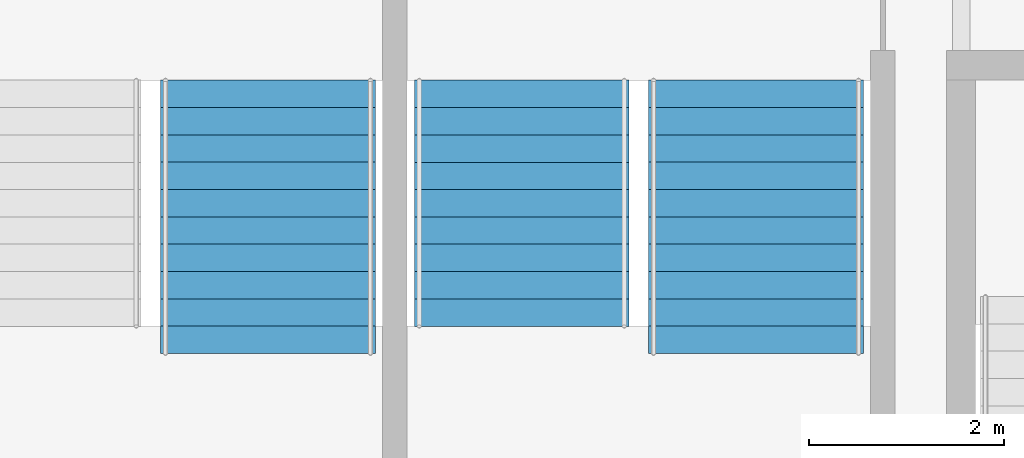
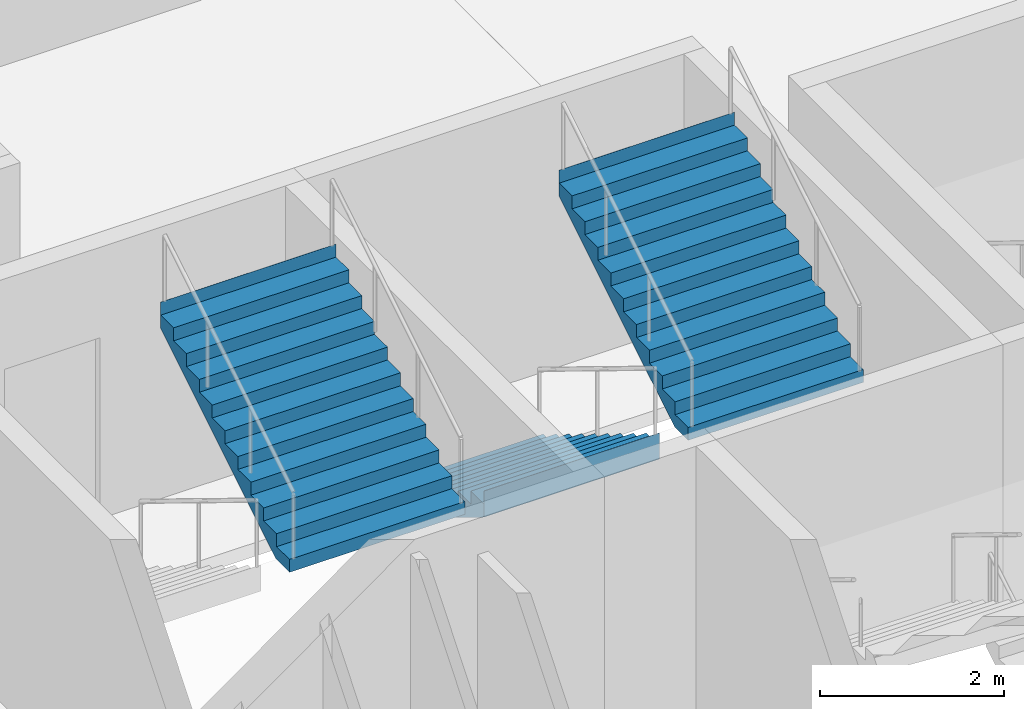
# One storey, part 86 of 124: 3 stair flights, 2 elements without a shape of their own.
"""IFC4 building model written with IfcOpenShell, lengths in metres."""

from ifc_helpers import new_model, si_unit, direction, frame, origin, place, context, subcontext, project, spatial, polyline, outline, extrude, material, type_object, element, aggregate, save


model = new_model("IFC4")

# Units and contexts
model_context = context("Model", 3, precision=1e-05, world=origin(), true_north=direction((0.0, 1.0)))
body_context = subcontext(model_context, "Body", "Model", "MODEL_VIEW")
ifc_project = project(units=[si_unit("LENGTHUNIT", "METRE"), si_unit("AREAUNIT", "SQUARE_METRE"), si_unit("VOLUMEUNIT", "CUBIC_METRE"), si_unit("PLANEANGLEUNIT", "RADIAN"), si_unit("MASSUNIT", "GRAM", prefix="KILO")], contexts=[model_context])

# Site, building, storey
site_placement = place(None, origin())
site = spatial("IfcSite", under=ifc_project, at=site_placement, CompositionType="ELEMENT")
building_placement = place(site_placement, origin())
building = spatial("IfcBuilding", under=site, at=building_placement, Name="Kupolbacken Congress Centre", CompositionType="ELEMENT")
storey_placement = place(building_placement, frame((0.0, 0.0, 10.800048828125)))
storey = spatial("IfcBuildingStorey", under=building, at=storey_placement, Name="L03", CompositionType="ELEMENT", Elevation=10.800048828125)

# Stair, stair flight
ifc_material_1 = material(Name="Concrete C30/37", Category="concrete")
stair_type = type_object("IfcStairType", Name="ST13 stair 2200", PredefinedType="TWO_STRAIGHT_RUN_STAIR", material=ifc_material_1)
stair_1_placement = place(storey_placement, origin())
stair_1 = element("IfcStair", 1, at=stair_1_placement, inside=storey, type_object=stair_type, Name="C/stair/PS2SE/L03", PredefinedType="NOTDEFINED")
ifc_material_2 = material(Name="Concrete C30/37", Category="concrete")
stair_flight_type_1 = type_object("IfcStairFlightType", Name="FL13 stair flight 2200 x 10 risers", PredefinedType="STRAIGHT", material=ifc_material_2)
stair_flight_1_placement = place(storey_placement, frame((74.699951171875, 55.544921875, 0.0), z_axis=(0.0, 0.0, 1.0), x_axis=(0.0, -1.0, 0.0)))
stair_flight_1 = element("IfcStairFlight", 2, at=stair_flight_1_placement, type_object=stair_flight_type_1, Name="PS2SE flight 1", NumberOfRisers=10, NumberOfTreads=9, PredefinedType="STRAIGHT", RiserHeight=0.171428571, TreadLength=0.28, context=body_context, shape_type="SweptSolid", body=[
    extrude(outline(polyline([(0.0, 0.0), (0.0, 0.0009765625), (0.0, 0.002197265625), (0.0, 0.003173828125), (0.0, 0.004150390625), (0.0, 0.00537109375), (0.0, 0.00634765625), (0.0, 0.007568359375), (0.0, 0.008544921875), (0.0, 0.009521484375), (0.0, 0.0107421875), (0.0, 0.01171875), (0.0, 0.0126953125), (0.0, 0.013916015625), (0.0, 0.014892578125), (0.0, 0.015869140625), (0.0, 0.01708984375), (0.0, 0.01806640625), (0.0, 0.019287109375), (0.0, 0.020263671875), (0.0, 0.021240234375), (0.0, 0.0224609375), (0.0, 0.0234375), (0.0, 0.0244140625), (0.0, 0.025634765625), (0.0, 0.026611328125), (0.0, 0.027587890625), (0.0, 0.02880859375), (0.0, 0.02978515625), (0.0, 0.03076171875), (0.0, 0.031982421875), (0.0, 0.032958984375), (0.0, 0.0341796875), (0.0, 0.03515625), (0.0, 0.0361328125), (0.0, 0.037353515625), (0.0, 0.038330078125), (0.0, 0.039306640625), (0.0, 0.04052734375), (0.0, 0.04150390625), (0.0, 0.04248046875), (0.0, 0.043701171875), (0.0, 0.044677734375), (0.0, 0.0458984375), (0.0, 0.046875), (0.0, 0.0478515625), (0.0, 0.049072265625), (0.0, 0.050048828125), (0.0, 0.051025390625), (0.0, 0.05224609375), (0.0, 0.05322265625), (0.0, 0.05419921875), (0.0, 0.055419921875), (0.0, 0.056396484375), (0.0, 0.0576171875), (0.0, 0.05859375), (0.0, 0.0595703125), (0.0, 0.060791015625), (0.0, 0.061767578125), (0.0, 0.062744140625), (0.0, 0.06396484375), (0.0, 0.06494140625), (0.0, 0.06591796875), (0.0, 0.067138671875), (0.0, 0.068115234375), (0.0, 0.069091796875), (0.0, 0.0703125), (0.0, 0.0712890625), (0.0, 0.072509765625), (0.0, 0.073486328125), (0.0, 0.074462890625), (0.0, 0.07568359375), (0.0, 0.07666015625), (0.0, 0.07763671875), (0.0, 0.078857421875), (0.0, 0.079833984375), (0.0, 0.080810546875), (0.0, 0.08203125), (0.0, 0.0830078125), (0.0, 0.084228515625), (0.0, 0.085205078125), (0.0, 0.086181640625), (0.0, 0.08740234375), (0.0, 0.08837890625), (0.0, 0.08935546875), (0.0, 0.090576171875), (0.0, 0.091552734375), (0.0, 0.092529296875), (0.0, 0.09375), (0.0, 0.0947265625), (0.0, 0.095947265625), (0.0, 0.096923828125), (0.0, 0.097900390625), (0.0, 0.09912109375), (0.0, 0.10009765625), (0.0, 0.10107421875), (0.0, 0.102294921875), (0.0, 0.103271484375), (0.0, 0.104248046875), (0.0, 0.10546875), (0.0, 0.1064453125), (0.0, 0.107421875), (0.0, 0.108642578125), (0.0, 0.109619140625), (0.0, 0.11083984375), (0.0, 0.11181640625), (0.0, 0.11279296875), (0.0, 0.114013671875), (0.0, 0.114990234375), (0.0, 0.115966796875), (0.0, 0.1171875), (0.0, 0.1181640625), (0.0, 0.119140625), (0.0, 0.120361328125), (0.0, 0.121337890625), (0.0, 0.12255859375), (0.0, 0.12353515625), (0.0, 0.12451171875), (0.0, 0.125732421875), (0.0, 0.126708984375), (0.0, 0.127685546875), (0.0, 0.12890625), (0.0, 0.1298828125), (0.0, 0.130859375), (0.0, 0.132080078125), (0.0, 0.133056640625), (0.0, 0.13427734375), (0.0, 0.13525390625), (0.0, 0.13623046875), (0.0, 0.137451171875), (0.0, 0.138427734375), (0.0, 0.139404296875), (0.0, 0.140625), (0.0, 0.1416015625), (0.0, 0.142578125), (0.0, 0.143798828125), (0.0, 0.144775390625), (0.0, 0.145751953125), (0.0, 0.14697265625), (0.0, 0.14794921875), (0.0, 0.149169921875), (0.0, 0.150146484375), (0.0, 0.151123046875), (0.0, 0.15234375), (0.0, 0.1533203125), (0.0, 0.154296875), (0.0, 0.155517578125), (0.0, 0.156494140625), (0.0, 0.157470703125), (0.0, 0.15869140625), (0.0, 0.15966796875), (0.0, 0.160888671875), (0.0, 0.161865234375), (0.0, 0.162841796875), (0.0, 0.1640625), (0.0, 0.1650390625), (0.0, 0.166015625), (0.0, 0.167236328125), (0.0, 0.168212890625), (0.0, 0.169189453125), (0.0, 0.17041015625), (0.0, 0.17138671875), (0.280029296875, 0.17138671875), (0.280029296875, 0.3427734375), (0.56005859375, 0.3427734375), (0.56005859375, 0.514404296875), (0.840087890625, 0.514404296875), (0.840087890625, 0.685791015625), (1.1201171875, 0.685791015625), (1.1201171875, 0.857177734375), (1.39990234375, 0.857177734375), (1.39990234375, 1.028564453125), (1.679931640625, 1.028564453125), (1.679931640625, 1.199951171875), (1.9599609375, 1.199951171875), (1.9599609375, 1.371337890625), (2.239990234375, 1.371337890625), (2.239990234375, 1.54296875), (2.52001953125, 1.54296875), (2.52001953125, 1.71435546875), (2.52197265625, 1.71435546875), (2.52197265625, 1.712158203125), (2.52197265625, 1.7099609375), (2.52197265625, 1.707763671875), (2.52197265625, 1.70556640625), (2.52197265625, 1.70361328125), (2.52197265625, 1.701416015625), (2.52197265625, 1.69921875), (2.52197265625, 1.697021484375), (2.52197265625, 1.69482421875), (2.52197265625, 1.692626953125), (2.52197265625, 1.690673828125), (2.52197265625, 1.6884765625), (2.52197265625, 1.686279296875), (2.52197265625, 1.68408203125), (2.52197265625, 1.681884765625), (2.52197265625, 1.6796875), (2.52197265625, 1.677734375), (2.52197265625, 1.675537109375), (2.52197265625, 1.67333984375), (2.52197265625, 1.671142578125), (2.52197265625, 1.6689453125), (2.52197265625, 1.666748046875), (2.52197265625, 1.664794921875), (2.52197265625, 1.66259765625), (2.52197265625, 1.660400390625), (2.52197265625, 1.658203125), (2.52197265625, 1.656005859375), (2.52197265625, 1.65380859375), (2.52197265625, 1.65185546875), (2.52197265625, 1.649658203125), (2.52197265625, 1.6474609375), (2.52197265625, 1.645263671875), (2.52197265625, 1.64306640625), (2.52197265625, 1.640869140625), (2.52197265625, 1.638916015625), (2.52197265625, 1.63671875), (2.52197265625, 1.634521484375), (2.52197265625, 1.63232421875), (2.52197265625, 1.630126953125), (2.52197265625, 1.6279296875), (2.52197265625, 1.6259765625), (2.52197265625, 1.623779296875), (2.52197265625, 1.62158203125), (2.52197265625, 1.619384765625), (2.52197265625, 1.6171875), (2.52197265625, 1.614990234375), (2.52197265625, 1.613037109375), (2.52197265625, 1.61083984375), (2.52197265625, 1.608642578125), (2.52197265625, 1.6064453125), (2.52197265625, 1.604248046875), (2.52197265625, 1.60205078125), (2.52197265625, 1.60009765625), (2.52197265625, 1.597900390625), (2.52197265625, 1.595703125), (2.52197265625, 1.593505859375), (2.52197265625, 1.59130859375), (2.52197265625, 1.589111328125), (2.52197265625, 1.587158203125), (2.52197265625, 1.5849609375), (2.52197265625, 1.582763671875), (2.52197265625, 1.58056640625), (2.52197265625, 1.578369140625), (2.52197265625, 1.576171875), (2.52197265625, 1.57421875), (2.52197265625, 1.572021484375), (2.52197265625, 1.56982421875), (2.52197265625, 1.567626953125), (2.52197265625, 1.5654296875), (2.52197265625, 1.563232421875), (2.52197265625, 1.561279296875), (2.52197265625, 1.55908203125), (2.52197265625, 1.556884765625), (2.52197265625, 1.5546875), (2.52197265625, 1.552490234375), (2.52197265625, 1.55029296875), (2.52197265625, 1.54833984375), (2.52197265625, 1.546142578125), (2.52197265625, 1.5439453125), (2.52197265625, 1.541748046875), (2.52197265625, 1.53955078125), (2.52197265625, 1.537353515625), (2.52197265625, 1.535400390625), (2.52197265625, 1.533203125), (2.52197265625, 1.531005859375), (2.52197265625, 1.52880859375), (2.52197265625, 1.526611328125), (2.52197265625, 1.5244140625), (2.52197265625, 1.5224609375), (2.52197265625, 1.520263671875), (2.52197265625, 1.51806640625), (2.52197265625, 1.515869140625), (2.52197265625, 1.513671875), (2.52197265625, 1.511474609375), (2.52197265625, 1.509521484375), (2.52197265625, 1.50732421875), (2.52197265625, 1.505126953125), (2.52197265625, 1.5029296875), (2.52197265625, 1.500732421875), (2.52197265625, 1.49853515625), (2.52197265625, 1.49658203125), (2.52197265625, 1.494384765625), (2.52197265625, 1.4921875), (2.52197265625, 1.489990234375), (2.52197265625, 1.48779296875), (2.52197265625, 1.485595703125), (2.52197265625, 1.483642578125), (2.52197265625, 1.4814453125), (2.52197265625, 1.479248046875), (2.52197265625, 1.47705078125), (2.52197265625, 1.474853515625), (2.52197265625, 1.47265625), (2.52197265625, 1.470703125), (2.52197265625, 1.468505859375), (2.52197265625, 1.46630859375), (2.52197265625, 1.464111328125), (2.52197265625, 1.4619140625), (2.52197265625, 1.459716796875), (2.52197265625, 1.457763671875), (2.52197265625, 1.45556640625), (2.52197265625, 1.453369140625), (2.52197265625, 1.451171875), (2.52197265625, 1.448974609375), (2.52197265625, 1.44677734375), (2.52197265625, 1.44482421875), (2.52197265625, 1.442626953125), (2.52197265625, 1.4404296875), (2.52197265625, 1.438232421875), (2.52197265625, 1.43603515625), (2.52197265625, 1.433837890625), (2.52197265625, 1.431884765625), (2.52197265625, 1.4296875), (2.52197265625, 1.427490234375), (2.52197265625, 1.42529296875), (2.52197265625, 1.423095703125), (2.52197265625, 1.4208984375), (2.52197265625, 1.4189453125), (2.52197265625, 1.416748046875), (2.52197265625, 1.41455078125), (2.52197265625, 1.412353515625), (2.52197265625, 1.41015625), (2.52197265625, 1.407958984375), (2.52197265625, 1.406005859375), (2.52197265625, 1.40380859375), (2.52197265625, 1.401611328125), (2.52197265625, 1.3994140625), (2.52197265625, 1.397216796875), (2.52197265625, 1.39501953125), (2.52197265625, 1.39306640625), (2.52197265625, 1.390869140625), (2.52197265625, 1.388671875), (2.52197265625, 1.386474609375), (2.52197265625, 1.38427734375), (2.52197265625, 1.382080078125), (2.52197265625, 1.380126953125), (2.52197265625, 1.3779296875), (2.52197265625, 1.375732421875), (2.52197265625, 1.37353515625), (2.52197265625, 1.371337890625), (2.52197265625, 1.369140625), (2.52197265625, 1.3671875), (0.2890625, 0.0), (0.0, 0.0)])), frame((0.0, 1.10009765625, 0.0), z_axis=(0.0, -1.0, 0.0), x_axis=(1.0, 0.0, 0.0)), (0.0, 0.0, 1.0), 2.199951171875),
])

stair_2_placement = place(storey_placement, origin())
stair_2 = element("IfcStair", 3, at=stair_2_placement, inside=storey, type_object=stair_type, Name="C/stair/PS1SE/L03", PredefinedType="NOTDEFINED")
ifc_material_3 = material(Name="Concrete C30/37", Category="concrete")
stair_flight_type_2 = type_object("IfcStairFlightType", Name="FL14 stair flight 2200 x 11 risers", PredefinedType="STRAIGHT", material=ifc_material_3)
stair_flight_2_placement = place(storey_placement, frame((72.10009765625, 52.7451171875, 1.71435546875), z_axis=(0.0, 0.0, 1.0), x_axis=(0.0, 1.0, 0.0)))
stair_flight_2 = element("IfcStairFlight", 4, at=stair_flight_2_placement, type_object=stair_flight_type_2, Name="PS1SE flight 2", NumberOfRisers=11, NumberOfTreads=10, PredefinedType="STRAIGHT", RiserHeight=0.171428571, TreadLength=0.28, context=body_context, shape_type="SweptSolid", body=[
    extrude(outline(polyline([(0.0, 0.0), (0.0, 0.0009765625), (0.0, 0.002197265625), (0.0, 0.003173828125), (0.0, 0.004150390625), (0.0, 0.00537109375), (0.0, 0.00634765625), (0.0, 0.007568359375), (0.0, 0.008544921875), (0.0, 0.009521484375), (0.0, 0.0107421875), (0.0, 0.01171875), (0.0, 0.0126953125), (0.0, 0.013916015625), (0.0, 0.014892578125), (0.0, 0.015869140625), (0.0, 0.01708984375), (0.0, 0.01806640625), (0.0, 0.019287109375), (0.0, 0.020263671875), (0.0, 0.021240234375), (0.0, 0.0224609375), (0.0, 0.0234375), (0.0, 0.0244140625), (0.0, 0.025634765625), (0.0, 0.026611328125), (0.0, 0.027587890625), (0.0, 0.02880859375), (0.0, 0.02978515625), (0.0, 0.03076171875), (0.0, 0.031982421875), (0.0, 0.032958984375), (0.0, 0.0341796875), (0.0, 0.03515625), (0.0, 0.0361328125), (0.0, 0.037353515625), (0.0, 0.038330078125), (0.0, 0.039306640625), (0.0, 0.04052734375), (0.0, 0.04150390625), (0.0, 0.04248046875), (0.0, 0.043701171875), (0.0, 0.044677734375), (0.0, 0.0458984375), (0.0, 0.046875), (0.0, 0.0478515625), (0.0, 0.049072265625), (0.0, 0.050048828125), (0.0, 0.051025390625), (0.0, 0.05224609375), (0.0, 0.05322265625), (0.0, 0.05419921875), (0.0, 0.055419921875), (0.0, 0.056396484375), (0.0, 0.0576171875), (0.0, 0.05859375), (0.0, 0.0595703125), (0.0, 0.060791015625), (0.0, 0.061767578125), (0.0, 0.062744140625), (0.0, 0.06396484375), (0.0, 0.06494140625), (0.0, 0.06591796875), (0.0, 0.067138671875), (0.0, 0.068115234375), (0.0, 0.069091796875), (0.0, 0.0703125), (0.0, 0.0712890625), (0.0, 0.072509765625), (0.0, 0.073486328125), (0.0, 0.074462890625), (0.0, 0.07568359375), (0.0, 0.07666015625), (0.0, 0.07763671875), (0.0, 0.078857421875), (0.0, 0.079833984375), (0.0, 0.080810546875), (0.0, 0.08203125), (0.0, 0.0830078125), (0.0, 0.084228515625), (0.0, 0.085205078125), (0.0, 0.086181640625), (0.0, 0.08740234375), (0.0, 0.08837890625), (0.0, 0.08935546875), (0.0, 0.090576171875), (0.0, 0.091552734375), (0.0, 0.092529296875), (0.0, 0.09375), (0.0, 0.0947265625), (0.0, 0.095947265625), (0.0, 0.096923828125), (0.0, 0.097900390625), (0.0, 0.09912109375), (0.0, 0.10009765625), (0.0, 0.10107421875), (0.0, 0.102294921875), (0.0, 0.103271484375), (0.0, 0.104248046875), (0.0, 0.10546875), (0.0, 0.1064453125), (0.0, 0.107421875), (0.0, 0.108642578125), (0.0, 0.109619140625), (0.0, 0.11083984375), (0.0, 0.11181640625), (0.0, 0.11279296875), (0.0, 0.114013671875), (0.0, 0.114990234375), (0.0, 0.115966796875), (0.0, 0.1171875), (0.0, 0.1181640625), (0.0, 0.119140625), (0.0, 0.120361328125), (0.0, 0.121337890625), (0.0, 0.12255859375), (0.0, 0.12353515625), (0.0, 0.12451171875), (0.0, 0.125732421875), (0.0, 0.126708984375), (0.0, 0.127685546875), (0.0, 0.12890625), (0.0, 0.1298828125), (0.0, 0.130859375), (0.0, 0.132080078125), (0.0, 0.133056640625), (0.0, 0.13427734375), (0.0, 0.13525390625), (0.0, 0.13623046875), (0.0, 0.137451171875), (0.0, 0.138427734375), (0.0, 0.139404296875), (0.0, 0.140625), (0.0, 0.1416015625), (0.0, 0.142578125), (0.0, 0.143798828125), (0.0, 0.144775390625), (0.0, 0.145751953125), (0.0, 0.14697265625), (0.0, 0.14794921875), (0.0, 0.149169921875), (0.0, 0.150146484375), (0.0, 0.151123046875), (0.0, 0.15234375), (0.0, 0.1533203125), (0.0, 0.154296875), (0.0, 0.155517578125), (0.0, 0.156494140625), (0.0, 0.157470703125), (0.0, 0.15869140625), (0.0, 0.15966796875), (0.0, 0.160888671875), (0.0, 0.161865234375), (0.0, 0.162841796875), (0.0, 0.1640625), (0.0, 0.1650390625), (0.0, 0.166015625), (0.0, 0.167236328125), (0.0, 0.168212890625), (0.0, 0.169189453125), (0.0, 0.17041015625), (0.0, 0.17138671875), (0.280029296875, 0.17138671875), (0.280029296875, 0.3427734375), (0.56005859375, 0.3427734375), (0.56005859375, 0.514404296875), (0.840087890625, 0.514404296875), (0.840087890625, 0.685791015625), (1.1201171875, 0.685791015625), (1.1201171875, 0.857177734375), (1.39990234375, 0.857177734375), (1.39990234375, 1.028564453125), (1.679931640625, 1.028564453125), (1.679931640625, 1.199951171875), (1.9599609375, 1.199951171875), (1.9599609375, 1.371337890625), (2.239990234375, 1.371337890625), (2.239990234375, 1.54296875), (2.52001953125, 1.54296875), (2.52001953125, 1.71435546875), (2.800048828125, 1.71435546875), (2.800048828125, 1.8857421875), (2.802001953125, 1.8857421875), (2.802001953125, 1.883544921875), (2.802001953125, 1.88134765625), (2.802001953125, 1.879150390625), (2.802001953125, 1.877197265625), (2.802001953125, 1.875), (2.802001953125, 1.872802734375), (2.802001953125, 1.87060546875), (2.802001953125, 1.868408203125), (2.802001953125, 1.8662109375), (2.802001953125, 1.8642578125), (2.802001953125, 1.862060546875), (2.802001953125, 1.85986328125), (2.802001953125, 1.857666015625), (2.802001953125, 1.85546875), (2.802001953125, 1.853271484375), (2.802001953125, 1.851318359375), (2.802001953125, 1.84912109375), (2.802001953125, 1.846923828125), (2.802001953125, 1.8447265625), (2.802001953125, 1.842529296875), (2.802001953125, 1.84033203125), (2.802001953125, 1.83837890625), (2.802001953125, 1.836181640625), (2.802001953125, 1.833984375), (2.802001953125, 1.831787109375), (2.802001953125, 1.82958984375), (2.802001953125, 1.827392578125), (2.802001953125, 1.825439453125), (2.802001953125, 1.8232421875), (2.802001953125, 1.821044921875), (2.802001953125, 1.81884765625), (2.802001953125, 1.816650390625), (2.802001953125, 1.814453125), (2.802001953125, 1.8125), (2.802001953125, 1.810302734375), (2.802001953125, 1.80810546875), (2.802001953125, 1.805908203125), (2.802001953125, 1.8037109375), (2.802001953125, 1.801513671875), (2.802001953125, 1.799560546875), (2.802001953125, 1.79736328125), (2.802001953125, 1.795166015625), (2.802001953125, 1.79296875), (2.802001953125, 1.790771484375), (2.802001953125, 1.78857421875), (2.802001953125, 1.78662109375), (2.802001953125, 1.784423828125), (2.802001953125, 1.7822265625), (2.802001953125, 1.780029296875), (2.802001953125, 1.77783203125), (2.802001953125, 1.775634765625), (2.802001953125, 1.773681640625), (2.802001953125, 1.771484375), (2.802001953125, 1.769287109375), (2.802001953125, 1.76708984375), (2.802001953125, 1.764892578125), (2.802001953125, 1.7626953125), (2.802001953125, 1.7607421875), (2.802001953125, 1.758544921875), (2.802001953125, 1.75634765625), (2.802001953125, 1.754150390625), (2.802001953125, 1.751953125), (2.802001953125, 1.749755859375), (2.802001953125, 1.747802734375), (2.802001953125, 1.74560546875), (2.802001953125, 1.743408203125), (2.802001953125, 1.7412109375), (2.802001953125, 1.739013671875), (2.802001953125, 1.73681640625), (2.802001953125, 1.73486328125), (2.802001953125, 1.732666015625), (2.802001953125, 1.73046875), (2.802001953125, 1.728271484375), (2.802001953125, 1.72607421875), (2.802001953125, 1.723876953125), (2.802001953125, 1.721923828125), (2.802001953125, 1.7197265625), (2.802001953125, 1.717529296875), (2.802001953125, 1.71533203125), (2.802001953125, 1.713134765625), (2.802001953125, 1.7109375), (2.802001953125, 1.708984375), (2.802001953125, 1.706787109375), (2.802001953125, 1.70458984375), (2.802001953125, 1.702392578125), (2.802001953125, 1.7001953125), (2.802001953125, 1.697998046875), (2.802001953125, 1.696044921875), (2.802001953125, 1.69384765625), (2.802001953125, 1.691650390625), (2.802001953125, 1.689453125), (2.802001953125, 1.687255859375), (2.802001953125, 1.68505859375), (2.802001953125, 1.68310546875), (2.802001953125, 1.680908203125), (2.802001953125, 1.6787109375), (2.802001953125, 1.676513671875), (2.802001953125, 1.67431640625), (2.802001953125, 1.672119140625), (2.802001953125, 1.670166015625), (2.802001953125, 1.66796875), (2.802001953125, 1.665771484375), (2.802001953125, 1.66357421875), (2.802001953125, 1.661376953125), (2.802001953125, 1.6591796875), (2.802001953125, 1.6572265625), (2.802001953125, 1.655029296875), (2.802001953125, 1.65283203125), (2.802001953125, 1.650634765625), (2.802001953125, 1.6484375), (2.802001953125, 1.646240234375), (2.802001953125, 1.644287109375), (2.802001953125, 1.64208984375), (2.802001953125, 1.639892578125), (2.802001953125, 1.6376953125), (2.802001953125, 1.635498046875), (2.802001953125, 1.63330078125), (2.802001953125, 1.63134765625), (2.802001953125, 1.629150390625), (2.802001953125, 1.626953125), (2.802001953125, 1.624755859375), (2.802001953125, 1.62255859375), (2.802001953125, 1.620361328125), (2.802001953125, 1.618408203125), (2.802001953125, 1.6162109375), (2.802001953125, 1.614013671875), (2.802001953125, 1.61181640625), (2.802001953125, 1.609619140625), (2.802001953125, 1.607421875), (2.802001953125, 1.60546875), (2.802001953125, 1.603271484375), (2.802001953125, 1.60107421875), (2.802001953125, 1.598876953125), (2.802001953125, 1.5966796875), (2.802001953125, 1.594482421875), (2.802001953125, 1.592529296875), (2.802001953125, 1.59033203125), (2.802001953125, 1.588134765625), (2.802001953125, 1.5859375), (2.802001953125, 1.583740234375), (2.802001953125, 1.58154296875), (2.802001953125, 1.57958984375), (2.802001953125, 1.577392578125), (2.802001953125, 1.5751953125), (2.802001953125, 1.572998046875), (2.802001953125, 1.57080078125), (2.802001953125, 1.568603515625), (2.802001953125, 1.566650390625), (2.802001953125, 1.564453125), (2.802001953125, 1.562255859375), (2.802001953125, 1.56005859375), (2.802001953125, 1.557861328125), (2.802001953125, 1.5556640625), (2.802001953125, 1.5537109375), (2.802001953125, 1.551513671875), (2.802001953125, 1.54931640625), (2.802001953125, 1.547119140625), (2.802001953125, 1.544921875), (2.802001953125, 1.542724609375), (2.802001953125, 1.540771484375), (2.802001953125, 1.53857421875), (0.2890625, 0.0), (0.0, 0.0)])), frame((0.0, 1.10009765625, 0.0), z_axis=(0.0, -1.0, 0.0), x_axis=(1.0, 0.0, 0.0)), (0.0, 0.0, 1.0), 2.199951171875),
])
aggregate(stair_2, [stair_flight_2])

# Stair flight
stair_flight_3_placement = place(storey_placement, frame((77.10009765625, 52.7451171875, 1.71435546875), z_axis=(0.0, 0.0, 1.0), x_axis=(0.0, 1.0, 0.0)))
stair_flight_3 = element("IfcStairFlight", 5, at=stair_flight_3_placement, type_object=stair_flight_type_2, Name="PS2SE flight 2", NumberOfRisers=11, NumberOfTreads=10, PredefinedType="STRAIGHT", RiserHeight=0.171428571, TreadLength=0.28, context=body_context, shape_type="SweptSolid", body=[
    extrude(outline(polyline([(0.0, 0.0), (0.0, 0.0009765625), (0.0, 0.002197265625), (0.0, 0.003173828125), (0.0, 0.004150390625), (0.0, 0.00537109375), (0.0, 0.00634765625), (0.0, 0.007568359375), (0.0, 0.008544921875), (0.0, 0.009521484375), (0.0, 0.0107421875), (0.0, 0.01171875), (0.0, 0.0126953125), (0.0, 0.013916015625), (0.0, 0.014892578125), (0.0, 0.015869140625), (0.0, 0.01708984375), (0.0, 0.01806640625), (0.0, 0.019287109375), (0.0, 0.020263671875), (0.0, 0.021240234375), (0.0, 0.0224609375), (0.0, 0.0234375), (0.0, 0.0244140625), (0.0, 0.025634765625), (0.0, 0.026611328125), (0.0, 0.027587890625), (0.0, 0.02880859375), (0.0, 0.02978515625), (0.0, 0.03076171875), (0.0, 0.031982421875), (0.0, 0.032958984375), (0.0, 0.0341796875), (0.0, 0.03515625), (0.0, 0.0361328125), (0.0, 0.037353515625), (0.0, 0.038330078125), (0.0, 0.039306640625), (0.0, 0.04052734375), (0.0, 0.04150390625), (0.0, 0.04248046875), (0.0, 0.043701171875), (0.0, 0.044677734375), (0.0, 0.0458984375), (0.0, 0.046875), (0.0, 0.0478515625), (0.0, 0.049072265625), (0.0, 0.050048828125), (0.0, 0.051025390625), (0.0, 0.05224609375), (0.0, 0.05322265625), (0.0, 0.05419921875), (0.0, 0.055419921875), (0.0, 0.056396484375), (0.0, 0.0576171875), (0.0, 0.05859375), (0.0, 0.0595703125), (0.0, 0.060791015625), (0.0, 0.061767578125), (0.0, 0.062744140625), (0.0, 0.06396484375), (0.0, 0.06494140625), (0.0, 0.06591796875), (0.0, 0.067138671875), (0.0, 0.068115234375), (0.0, 0.069091796875), (0.0, 0.0703125), (0.0, 0.0712890625), (0.0, 0.072509765625), (0.0, 0.073486328125), (0.0, 0.074462890625), (0.0, 0.07568359375), (0.0, 0.07666015625), (0.0, 0.07763671875), (0.0, 0.078857421875), (0.0, 0.079833984375), (0.0, 0.080810546875), (0.0, 0.08203125), (0.0, 0.0830078125), (0.0, 0.084228515625), (0.0, 0.085205078125), (0.0, 0.086181640625), (0.0, 0.08740234375), (0.0, 0.08837890625), (0.0, 0.08935546875), (0.0, 0.090576171875), (0.0, 0.091552734375), (0.0, 0.092529296875), (0.0, 0.09375), (0.0, 0.0947265625), (0.0, 0.095947265625), (0.0, 0.096923828125), (0.0, 0.097900390625), (0.0, 0.09912109375), (0.0, 0.10009765625), (0.0, 0.10107421875), (0.0, 0.102294921875), (0.0, 0.103271484375), (0.0, 0.104248046875), (0.0, 0.10546875), (0.0, 0.1064453125), (0.0, 0.107421875), (0.0, 0.108642578125), (0.0, 0.109619140625), (0.0, 0.11083984375), (0.0, 0.11181640625), (0.0, 0.11279296875), (0.0, 0.114013671875), (0.0, 0.114990234375), (0.0, 0.115966796875), (0.0, 0.1171875), (0.0, 0.1181640625), (0.0, 0.119140625), (0.0, 0.120361328125), (0.0, 0.121337890625), (0.0, 0.12255859375), (0.0, 0.12353515625), (0.0, 0.12451171875), (0.0, 0.125732421875), (0.0, 0.126708984375), (0.0, 0.127685546875), (0.0, 0.12890625), (0.0, 0.1298828125), (0.0, 0.130859375), (0.0, 0.132080078125), (0.0, 0.133056640625), (0.0, 0.13427734375), (0.0, 0.13525390625), (0.0, 0.13623046875), (0.0, 0.137451171875), (0.0, 0.138427734375), (0.0, 0.139404296875), (0.0, 0.140625), (0.0, 0.1416015625), (0.0, 0.142578125), (0.0, 0.143798828125), (0.0, 0.144775390625), (0.0, 0.145751953125), (0.0, 0.14697265625), (0.0, 0.14794921875), (0.0, 0.149169921875), (0.0, 0.150146484375), (0.0, 0.151123046875), (0.0, 0.15234375), (0.0, 0.1533203125), (0.0, 0.154296875), (0.0, 0.155517578125), (0.0, 0.156494140625), (0.0, 0.157470703125), (0.0, 0.15869140625), (0.0, 0.15966796875), (0.0, 0.160888671875), (0.0, 0.161865234375), (0.0, 0.162841796875), (0.0, 0.1640625), (0.0, 0.1650390625), (0.0, 0.166015625), (0.0, 0.167236328125), (0.0, 0.168212890625), (0.0, 0.169189453125), (0.0, 0.17041015625), (0.0, 0.17138671875), (0.280029296875, 0.17138671875), (0.280029296875, 0.3427734375), (0.56005859375, 0.3427734375), (0.56005859375, 0.514404296875), (0.840087890625, 0.514404296875), (0.840087890625, 0.685791015625), (1.1201171875, 0.685791015625), (1.1201171875, 0.857177734375), (1.39990234375, 0.857177734375), (1.39990234375, 1.028564453125), (1.679931640625, 1.028564453125), (1.679931640625, 1.199951171875), (1.9599609375, 1.199951171875), (1.9599609375, 1.371337890625), (2.239990234375, 1.371337890625), (2.239990234375, 1.54296875), (2.52001953125, 1.54296875), (2.52001953125, 1.71435546875), (2.800048828125, 1.71435546875), (2.800048828125, 1.8857421875), (2.802001953125, 1.8857421875), (2.802001953125, 1.883544921875), (2.802001953125, 1.88134765625), (2.802001953125, 1.879150390625), (2.802001953125, 1.877197265625), (2.802001953125, 1.875), (2.802001953125, 1.872802734375), (2.802001953125, 1.87060546875), (2.802001953125, 1.868408203125), (2.802001953125, 1.8662109375), (2.802001953125, 1.8642578125), (2.802001953125, 1.862060546875), (2.802001953125, 1.85986328125), (2.802001953125, 1.857666015625), (2.802001953125, 1.85546875), (2.802001953125, 1.853271484375), (2.802001953125, 1.851318359375), (2.802001953125, 1.84912109375), (2.802001953125, 1.846923828125), (2.802001953125, 1.8447265625), (2.802001953125, 1.842529296875), (2.802001953125, 1.84033203125), (2.802001953125, 1.83837890625), (2.802001953125, 1.836181640625), (2.802001953125, 1.833984375), (2.802001953125, 1.831787109375), (2.802001953125, 1.82958984375), (2.802001953125, 1.827392578125), (2.802001953125, 1.825439453125), (2.802001953125, 1.8232421875), (2.802001953125, 1.821044921875), (2.802001953125, 1.81884765625), (2.802001953125, 1.816650390625), (2.802001953125, 1.814453125), (2.802001953125, 1.8125), (2.802001953125, 1.810302734375), (2.802001953125, 1.80810546875), (2.802001953125, 1.805908203125), (2.802001953125, 1.8037109375), (2.802001953125, 1.801513671875), (2.802001953125, 1.799560546875), (2.802001953125, 1.79736328125), (2.802001953125, 1.795166015625), (2.802001953125, 1.79296875), (2.802001953125, 1.790771484375), (2.802001953125, 1.78857421875), (2.802001953125, 1.78662109375), (2.802001953125, 1.784423828125), (2.802001953125, 1.7822265625), (2.802001953125, 1.780029296875), (2.802001953125, 1.77783203125), (2.802001953125, 1.775634765625), (2.802001953125, 1.773681640625), (2.802001953125, 1.771484375), (2.802001953125, 1.769287109375), (2.802001953125, 1.76708984375), (2.802001953125, 1.764892578125), (2.802001953125, 1.7626953125), (2.802001953125, 1.7607421875), (2.802001953125, 1.758544921875), (2.802001953125, 1.75634765625), (2.802001953125, 1.754150390625), (2.802001953125, 1.751953125), (2.802001953125, 1.749755859375), (2.802001953125, 1.747802734375), (2.802001953125, 1.74560546875), (2.802001953125, 1.743408203125), (2.802001953125, 1.7412109375), (2.802001953125, 1.739013671875), (2.802001953125, 1.73681640625), (2.802001953125, 1.73486328125), (2.802001953125, 1.732666015625), (2.802001953125, 1.73046875), (2.802001953125, 1.728271484375), (2.802001953125, 1.72607421875), (2.802001953125, 1.723876953125), (2.802001953125, 1.721923828125), (2.802001953125, 1.7197265625), (2.802001953125, 1.717529296875), (2.802001953125, 1.71533203125), (2.802001953125, 1.713134765625), (2.802001953125, 1.7109375), (2.802001953125, 1.708984375), (2.802001953125, 1.706787109375), (2.802001953125, 1.70458984375), (2.802001953125, 1.702392578125), (2.802001953125, 1.7001953125), (2.802001953125, 1.697998046875), (2.802001953125, 1.696044921875), (2.802001953125, 1.69384765625), (2.802001953125, 1.691650390625), (2.802001953125, 1.689453125), (2.802001953125, 1.687255859375), (2.802001953125, 1.68505859375), (2.802001953125, 1.68310546875), (2.802001953125, 1.680908203125), (2.802001953125, 1.6787109375), (2.802001953125, 1.676513671875), (2.802001953125, 1.67431640625), (2.802001953125, 1.672119140625), (2.802001953125, 1.670166015625), (2.802001953125, 1.66796875), (2.802001953125, 1.665771484375), (2.802001953125, 1.66357421875), (2.802001953125, 1.661376953125), (2.802001953125, 1.6591796875), (2.802001953125, 1.6572265625), (2.802001953125, 1.655029296875), (2.802001953125, 1.65283203125), (2.802001953125, 1.650634765625), (2.802001953125, 1.6484375), (2.802001953125, 1.646240234375), (2.802001953125, 1.644287109375), (2.802001953125, 1.64208984375), (2.802001953125, 1.639892578125), (2.802001953125, 1.6376953125), (2.802001953125, 1.635498046875), (2.802001953125, 1.63330078125), (2.802001953125, 1.63134765625), (2.802001953125, 1.629150390625), (2.802001953125, 1.626953125), (2.802001953125, 1.624755859375), (2.802001953125, 1.62255859375), (2.802001953125, 1.620361328125), (2.802001953125, 1.618408203125), (2.802001953125, 1.6162109375), (2.802001953125, 1.614013671875), (2.802001953125, 1.61181640625), (2.802001953125, 1.609619140625), (2.802001953125, 1.607421875), (2.802001953125, 1.60546875), (2.802001953125, 1.603271484375), (2.802001953125, 1.60107421875), (2.802001953125, 1.598876953125), (2.802001953125, 1.5966796875), (2.802001953125, 1.594482421875), (2.802001953125, 1.592529296875), (2.802001953125, 1.59033203125), (2.802001953125, 1.588134765625), (2.802001953125, 1.5859375), (2.802001953125, 1.583740234375), (2.802001953125, 1.58154296875), (2.802001953125, 1.57958984375), (2.802001953125, 1.577392578125), (2.802001953125, 1.5751953125), (2.802001953125, 1.572998046875), (2.802001953125, 1.57080078125), (2.802001953125, 1.568603515625), (2.802001953125, 1.566650390625), (2.802001953125, 1.564453125), (2.802001953125, 1.562255859375), (2.802001953125, 1.56005859375), (2.802001953125, 1.557861328125), (2.802001953125, 1.5556640625), (2.802001953125, 1.5537109375), (2.802001953125, 1.551513671875), (2.802001953125, 1.54931640625), (2.802001953125, 1.547119140625), (2.802001953125, 1.544921875), (2.802001953125, 1.542724609375), (2.802001953125, 1.540771484375), (2.802001953125, 1.53857421875), (0.2890625, 0.0), (0.0, 0.0)])), frame((0.0, 1.10009765625, 0.0), z_axis=(0.0, -1.0, 0.0), x_axis=(1.0, 0.0, 0.0)), (0.0, 0.0, 1.0), 2.199951171875),
])

aggregate(stair_1, [stair_flight_1, stair_flight_3])

save(model, "model.ifc")
